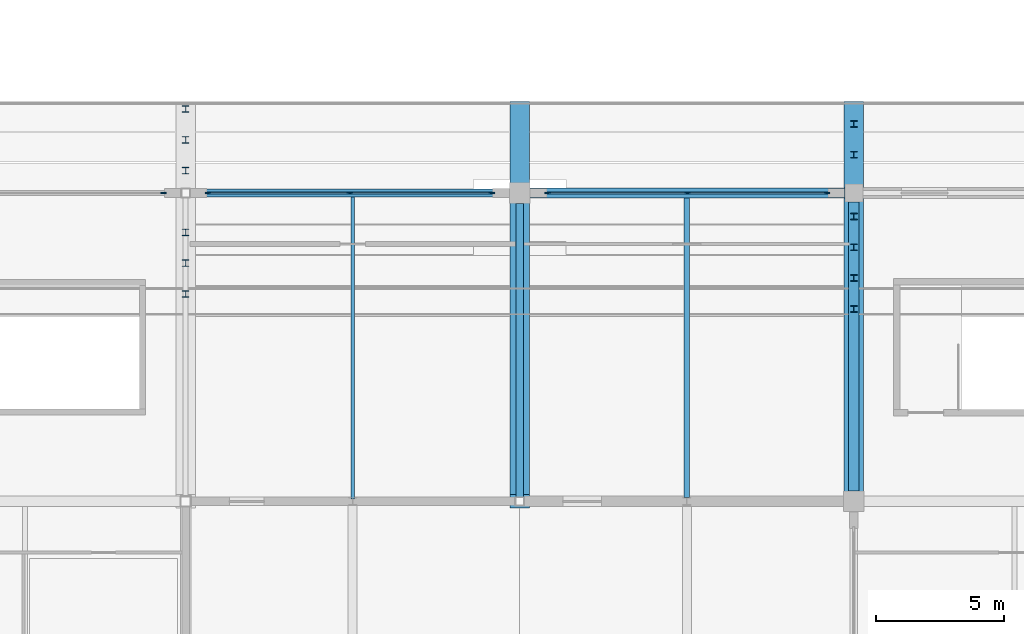
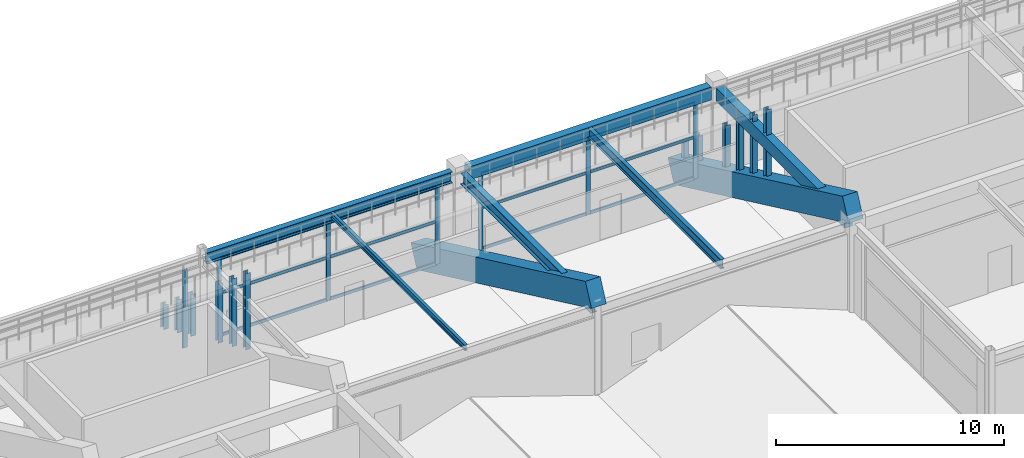
# One storey, part 36 of 128: 31 members, 8 beams, 3 elements without a shape of their own.
"""IFC4 building model written with IfcOpenShell, lengths in metres."""

from ifc_helpers import new_model, si_unit, direction, frame, origin, origin_2d, place, context, subcontext, project, spatial, rectangle, i_section, extrude, material, layer, layer_set, material_profile, profile_set, type_object, element, aggregate, save


model = new_model("IFC4")

# Units and contexts
model_context = context("Model", 3, precision=1e-05, world=origin(), true_north=direction((0.0, 1.0)))
body_context = subcontext(model_context, "Body", "Model", "MODEL_VIEW")
ifc_project = project(units=[si_unit("LENGTHUNIT", "METRE"), si_unit("AREAUNIT", "SQUARE_METRE"), si_unit("VOLUMEUNIT", "CUBIC_METRE"), si_unit("PLANEANGLEUNIT", "RADIAN"), si_unit("MASSUNIT", "GRAM", prefix="KILO")], contexts=[model_context])

# Site, building, storey
site_placement = place(None, origin())
site = spatial("IfcSite", under=ifc_project, at=site_placement, CompositionType="ELEMENT")
building_placement = place(site_placement, origin())
building = spatial("IfcBuilding", under=site, at=building_placement, Name="Kazenohara Klinker Stadium", CompositionType="ELEMENT")
storey_placement = place(building_placement, frame((0.0, 0.0, 15.300048828125)))
storey = spatial("IfcBuildingStorey", under=building, at=storey_placement, Name="L03", CompositionType="ELEMENT", Elevation=15.300048828125)

# Beams
ifc_material_1 = material(Name="Steel S355", Category="steel")
ifc_material_profile_1 = material_profile(ifc_material_1, i_section(OverallWidth=0.199951171875, OverallDepth=0.5, WebThickness=0.010009765625, FlangeThickness=0.01611328125, FilletRadius=0.012939453125, at=origin_2d()), Name="H-500x200x10x16")
ifc_profile_set_1 = profile_set([ifc_material_profile_1], Name="Steel S355")
beam_type_1 = type_object("IfcBeamType", Name="BM-JST01", PredefinedType="JOIST", material=ifc_profile_set_1)
beam_1_placement = place(storey_placement, frame((118.5, 24.14990234375, 4.510009765625), z_axis=(0.0, 1.0, 0.0), x_axis=(-1.0, 0.0, 0.0)))
element("IfcBeam", 1, at=beam_1_placement, inside=storey, type_object=beam_type_1, Name="Secondary floor joist SJ01 L03 10/C", PredefinedType="JOIST", context=body_context, shape_type="SweptSolid", body=[
    extrude(i_section(OverallWidth=0.199951171875, OverallDepth=0.5, WebThickness=0.010009765625, FlangeThickness=0.01611328125, FilletRadius=0.012939453125, at=origin_2d()), origin(), (0.0, 0.0, 1.0), 11.650146484375),
])
ifc_material_profile_2 = material_profile(ifc_material_1, i_section(OverallWidth=0.14990234375, OverallDepth=0.300048828125, WebThickness=0.006591796875, FlangeThickness=0.009033203125, FilletRadius=0.012939453125, at=origin_2d()), Name="H-300x150x6.5x9")
ifc_profile_set_2 = profile_set([ifc_material_profile_2], Name="Steel S355")
beam_type_2 = type_object("IfcBeamType", Name="BM-JST05", PredefinedType="JOIST", material=ifc_profile_set_2)
beam_2_placement = place(storey_placement, frame((105.5, 24.10009765625, 4.60986328125), z_axis=(0.0, 1.0, 0.0), x_axis=(-1.0, 0.0, 0.0)))
element("IfcBeam", 2, at=beam_2_placement, inside=storey, type_object=beam_type_2, Name="Secondary floor joist SJ05 L03 9/C", PredefinedType="JOIST", context=body_context, shape_type="SweptSolid", body=[
    extrude(i_section(OverallWidth=0.14990234375, OverallDepth=0.300048828125, WebThickness=0.006591796875, FlangeThickness=0.009033203125, FilletRadius=0.012939453125, at=origin_2d()), origin(), (0.0, 0.0, 1.0), 11.75),
])
ifc_material_2 = material(Name="Concrete C40/50", Category="concrete")
ifc_material_profile_3 = material_profile(ifc_material_2, rectangle(XDim=0.39990234375, YDim=0.699951171875, at=origin_2d()), Name="RC-BM-400x700")
ifc_profile_set_3 = profile_set([ifc_material_profile_3], Name="Concrete C40/50")
beam_type_3 = type_object("IfcBeamType", Name="BM-RC04", PredefinedType="BEAM", material=ifc_profile_set_3)
beam_3_placement = place(storey_placement, frame((112.39990234375, 36.0, 4.409912109375), z_axis=(1.0, 0.0, 0.0), x_axis=(0.0, 1.0, 0.0)))
element("IfcBeam", 3, at=beam_3_placement, inside=storey, type_object=beam_type_3, Name="Primary girder BG04 L03 10-11/D", PredefinedType="BEAM", context=body_context, shape_type="SweptSolid", body=[
    extrude(rectangle(XDim=0.39990234375, YDim=0.699951171875, at=origin_2d()), origin(), (0.0, 0.0, 1.0), 12.25),
])
beam_4_placement = place(storey_placement, frame((125.0, 24.39990234375, 4.409912109375), z_axis=(0.0, 1.0, 0.0), x_axis=(-1.0, 0.0, 0.0)))
element("IfcBeam", 4, at=beam_4_placement, inside=storey, type_object=beam_type_3, Name="Primary girder BG04 L03 11/C-D", PredefinedType="BEAM", context=body_context, shape_type="SweptSolid", body=[
    extrude(rectangle(XDim=0.39990234375, YDim=0.699951171875, at=origin_2d()), origin(), (0.0, 0.0, 1.0), 11.25),
])
ifc_material_profile_4 = material_profile(ifc_material_1, i_section(OverallWidth=0.300048828125, OverallDepth=0.587890625, WebThickness=0.011962890625, FlangeThickness=0.02001953125, FilletRadius=0.02197265625, at=origin_2d()), Name="H-588x300x12x20")
ifc_profile_set_4 = profile_set([ifc_material_profile_4], Name="Steel S355")
beam_type_4 = type_object("IfcBeamType", Name="BM-ST05", PredefinedType="BEAM", material=ifc_profile_set_4)
beam_5_placement = place(storey_placement, frame((99.175048828125, 36.0, 4.466064453125), z_axis=(1.0, 0.0, 0.0), x_axis=(0.0, 1.0, 0.0)))
element("IfcBeam", 5, at=beam_5_placement, inside=storey, type_object=beam_type_4, Name="Primary girder SB05 L03 9-10/D", PredefinedType="BEAM", context=body_context, shape_type="SweptSolid", body=[
    extrude(i_section(OverallWidth=0.300048828125, OverallDepth=0.587890625, WebThickness=0.011962890625, FlangeThickness=0.02001953125, FilletRadius=0.02197265625, at=origin_2d()), origin(), (0.0, 0.0, 1.0), 12.425048828125),
])
beam_6_placement = place(storey_placement, frame((112.0, 24.175048828125, 4.466064453125), z_axis=(0.0, 1.0, 0.0), x_axis=(-1.0, 0.0, 0.0)))
element("IfcBeam", 6, at=beam_6_placement, inside=storey, type_object=beam_type_4, Name="Primary girder SB05 L03 10/C-D", PredefinedType="BEAM", context=body_context, shape_type="SweptSolid", body=[
    extrude(i_section(OverallWidth=0.300048828125, OverallDepth=0.587890625, WebThickness=0.011962890625, FlangeThickness=0.02001953125, FilletRadius=0.02197265625, at=origin_2d()), origin(), (0.0, 0.0, 1.0), 11.425048828125),
])

# Curtain wall, member
ifc_material_3 = material(Name="Anodised aluminium and triple glazing", Category="aluminium")
ifc_layer_1 = layer(ifc_material_3, 0.159912109375)
ifc_layer_set_1 = layer_set([ifc_layer_1], Name="Anodised aluminium and triple glazing")
curtain_wall_type_1 = type_object("IfcCurtainWallType", Name="CW-SYS-01", PredefinedType="USERDEFINED", material=ifc_layer_set_1)
curtain_wall_1_placement = place(storey_placement, origin())
curtain_wall_1 = element("IfcCurtainWall", 7, at=curtain_wall_1_placement, inside=storey, type_object=curtain_wall_type_1, Name="Unitised facade curtain wall CW01 L03 X7-3", ObjectType="UNITISED CURTAIN WALL", PredefinedType="USERDEFINED")
ifc_material_4 = material(Name="Anodised aluminium 6063-T6", Category="aluminium")
ifc_material_profile_5 = material_profile(ifc_material_4, rectangle(XDim=0.074951171875, YDim=0.219970703125, at=origin_2d()), Name="ALU-MUL-75x220")
ifc_profile_set_5 = profile_set([ifc_material_profile_5], Name="Anodised aluminium 6063-T6")
member_type_1 = type_object("IfcMemberType", Name="CW-MUL-220", PredefinedType="MULLION", material=ifc_profile_set_5)
member_1_placement = place(storey_placement, frame((98.133544921875, 36.0, 0.0), z_axis=(0.0, 0.0, 1.0), x_axis=(0.0, 1.0, 0.0)))
member_1 = element("IfcMember", 8, at=member_1_placement, type_object=member_type_1, Name="CW01 mullion 3", PredefinedType="MULLION", context=body_context, shape_type="SweptSolid", body=[
    extrude(rectangle(XDim=0.074951171875, YDim=0.219970703125, at=origin_2d()), origin(), (0.0, 0.0, 1.0), 4.159912109375),
])
aggregate(curtain_wall_1, [member_1])

# Curtain wall, members
ifc_layer_2 = layer(ifc_material_3, 0.199951171875)
ifc_layer_set_2 = layer_set([ifc_layer_2], Name="Anodised aluminium and triple glazing")
curtain_wall_type_2 = type_object("IfcCurtainWallType", Name="CW-SYS-03", PredefinedType="USERDEFINED", material=ifc_layer_set_2)
curtain_wall_2_placement = place(storey_placement, origin())
curtain_wall_2 = element("IfcCurtainWall", 9, at=curtain_wall_2_placement, inside=storey, type_object=curtain_wall_type_2, Name="Unitised facade curtain wall CW03 L03 X8-3", ObjectType="UNITISED CURTAIN WALL", PredefinedType="USERDEFINED")
member_2_placement = place(storey_placement, frame((99.866455078125, 36.0, 0.0), z_axis=(0.0, 0.0, 1.0), x_axis=(0.0, 1.0, 0.0)))
member_2 = element("IfcMember", 10, at=member_2_placement, type_object=member_type_1, Name="CW03 mullion 1", PredefinedType="MULLION", context=body_context, shape_type="SweptSolid", body=[
    extrude(rectangle(XDim=0.074951171875, YDim=0.219970703125, at=origin_2d()), origin(), (0.0, 0.0, 1.0), 4.171875),
])
member_3_placement = place(storey_placement, frame((105.387451171875, 36.0, 0.0), z_axis=(0.0, 0.0, 1.0), x_axis=(0.0, 1.0, 0.0)))
member_3 = element("IfcMember", 11, at=member_3_placement, type_object=member_type_1, Name="CW03 mullion 2", PredefinedType="MULLION", context=body_context, shape_type="SweptSolid", body=[
    extrude(rectangle(XDim=0.074951171875, YDim=0.219970703125, at=origin_2d()), origin(), (0.0, 0.0, 1.0), 4.171875),
])
member_4_placement = place(storey_placement, frame((110.908447265625, 36.0, 0.0), z_axis=(0.0, 0.0, 1.0), x_axis=(0.0, 1.0, 0.0)))
member_4 = element("IfcMember", 12, at=member_4_placement, type_object=member_type_1, Name="CW03 mullion 3", PredefinedType="MULLION", context=body_context, shape_type="SweptSolid", body=[
    extrude(rectangle(XDim=0.074951171875, YDim=0.219970703125, at=origin_2d()), origin(), (0.0, 0.0, 1.0), 4.171875),
])

ifc_layer_3 = layer(ifc_material_3, 0.18994140625)
ifc_layer_set_3 = layer_set([ifc_layer_3], Name="Anodised aluminium and triple glazing")
curtain_wall_type_3 = type_object("IfcCurtainWallType", Name="CW-SYS-05", PredefinedType="USERDEFINED", material=ifc_layer_set_3)
curtain_wall_3_placement = place(storey_placement, origin())
curtain_wall_3 = element("IfcCurtainWall", 13, at=curtain_wall_3_placement, inside=storey, type_object=curtain_wall_type_3, Name="Unitised facade curtain wall CW05 L03 X9-3", ObjectType="UNITISED CURTAIN WALL", PredefinedType="USERDEFINED")
member_5_placement = place(storey_placement, frame((113.091552734375, 36.0, 0.0), z_axis=(0.0, 0.0, 1.0), x_axis=(0.0, 1.0, 0.0)))
member_5 = element("IfcMember", 14, at=member_5_placement, type_object=member_type_1, Name="CW05 mullion 1", PredefinedType="MULLION", context=body_context, shape_type="SweptSolid", body=[
    extrude(rectangle(XDim=0.074951171875, YDim=0.219970703125, at=origin_2d()), origin(), (0.0, 0.0, 1.0), 4.06005859375),
])
member_6_placement = place(storey_placement, frame((118.52490234375, 36.0, 0.0), z_axis=(0.0, 0.0, 1.0), x_axis=(0.0, 1.0, 0.0)))
member_6 = element("IfcMember", 15, at=member_6_placement, type_object=member_type_1, Name="CW05 mullion 2", PredefinedType="MULLION", context=body_context, shape_type="SweptSolid", body=[
    extrude(rectangle(XDim=0.074951171875, YDim=0.219970703125, at=origin_2d()), origin(), (0.0, 0.0, 1.0), 4.06005859375),
])
member_7_placement = place(storey_placement, frame((123.95849609375, 36.0, 0.0), z_axis=(0.0, 0.0, 1.0), x_axis=(0.0, 1.0, 0.0)))
member_7 = element("IfcMember", 16, at=member_7_placement, type_object=member_type_1, Name="CW05 mullion 3", PredefinedType="MULLION", context=body_context, shape_type="SweptSolid", body=[
    extrude(rectangle(XDim=0.074951171875, YDim=0.219970703125, at=origin_2d()), origin(), (0.0, 0.0, 1.0), 4.06005859375),
])

# Member
ifc_material_profile_6 = material_profile(ifc_material_4, rectangle(XDim=0.074951171875, YDim=0.159912109375, at=origin_2d()), Name="ALU-TRN-75x160")
ifc_profile_set_6 = profile_set([ifc_material_profile_6], Name="Anodised aluminium 6063-T6")
member_type_2 = type_object("IfcMemberType", Name="CW-TRN-160", PredefinedType="USERDEFINED", material=ifc_profile_set_6)
member_8_placement = place(storey_placement, frame((99.904052734375, 36.0, 0.037353515625), z_axis=(1.0, 0.0, 0.0), x_axis=(0.0, 1.0, 0.0)))
member_8 = element("IfcMember", 17, at=member_8_placement, type_object=member_type_2, Name="CW03 transom 1.1", ObjectType="TRANSOM", PredefinedType="USERDEFINED", context=body_context, shape_type="SweptSolid", body=[
    extrude(rectangle(XDim=0.074951171875, YDim=0.159912109375, at=origin_2d()), origin(), (0.0, 0.0, 1.0), 5.446044921875),
])

member_9_placement = place(storey_placement, frame((99.904052734375, 36.0, 2.29443359375), z_axis=(1.0, 0.0, 0.0), x_axis=(0.0, 1.0, 0.0)))
member_9 = element("IfcMember", 18, at=member_9_placement, type_object=member_type_2, Name="CW03 transom 1.2", ObjectType="TRANSOM", PredefinedType="USERDEFINED", context=body_context, shape_type="SweptSolid", body=[
    extrude(rectangle(XDim=0.074951171875, YDim=0.159912109375, at=origin_2d()), origin(), (0.0, 0.0, 1.0), 5.446044921875),
])

member_10_placement = place(storey_placement, frame((99.904052734375, 36.0, 4.134521484375), z_axis=(1.0, 0.0, 0.0), x_axis=(0.0, 1.0, 0.0)))
member_10 = element("IfcMember", 19, at=member_10_placement, type_object=member_type_2, Name="CW03 transom 1.3", ObjectType="TRANSOM", PredefinedType="USERDEFINED", context=body_context, shape_type="SweptSolid", body=[
    extrude(rectangle(XDim=0.074951171875, YDim=0.159912109375, at=origin_2d()), origin(), (0.0, 0.0, 1.0), 5.446044921875),
])

member_11_placement = place(storey_placement, frame((105.425048828125, 36.0, 0.037353515625), z_axis=(1.0, 0.0, 0.0), x_axis=(0.0, 1.0, 0.0)))
member_11 = element("IfcMember", 20, at=member_11_placement, type_object=member_type_2, Name="CW03 transom 2.1", ObjectType="TRANSOM", PredefinedType="USERDEFINED", context=body_context, shape_type="SweptSolid", body=[
    extrude(rectangle(XDim=0.074951171875, YDim=0.159912109375, at=origin_2d()), origin(), (0.0, 0.0, 1.0), 5.446044921875),
])

member_12_placement = place(storey_placement, frame((105.425048828125, 36.0, 2.29443359375), z_axis=(1.0, 0.0, 0.0), x_axis=(0.0, 1.0, 0.0)))
member_12 = element("IfcMember", 21, at=member_12_placement, type_object=member_type_2, Name="CW03 transom 2.2", ObjectType="TRANSOM", PredefinedType="USERDEFINED", context=body_context, shape_type="SweptSolid", body=[
    extrude(rectangle(XDim=0.074951171875, YDim=0.159912109375, at=origin_2d()), origin(), (0.0, 0.0, 1.0), 5.446044921875),
])

member_13_placement = place(storey_placement, frame((105.425048828125, 36.0, 4.134521484375), z_axis=(1.0, 0.0, 0.0), x_axis=(0.0, 1.0, 0.0)))
member_13 = element("IfcMember", 22, at=member_13_placement, type_object=member_type_2, Name="CW03 transom 2.3", ObjectType="TRANSOM", PredefinedType="USERDEFINED", context=body_context, shape_type="SweptSolid", body=[
    extrude(rectangle(XDim=0.074951171875, YDim=0.159912109375, at=origin_2d()), origin(), (0.0, 0.0, 1.0), 5.446044921875),
])

aggregate(curtain_wall_2, [member_2, member_3, member_4, member_8, member_9, member_10, member_11, member_12, member_13])

member_14_placement = place(storey_placement, frame((113.12890625, 36.0, 0.037353515625), z_axis=(1.0, 0.0, 0.0), x_axis=(0.0, 1.0, 0.0)))
member_14 = element("IfcMember", 23, at=member_14_placement, type_object=member_type_2, Name="CW05 transom 1.1", ObjectType="TRANSOM", PredefinedType="USERDEFINED", context=body_context, shape_type="SweptSolid", body=[
    extrude(rectangle(XDim=0.074951171875, YDim=0.159912109375, at=origin_2d()), origin(), (0.0, 0.0, 1.0), 5.358642578125),
])

member_15_placement = place(storey_placement, frame((113.12890625, 36.0, 2.23291015625), z_axis=(1.0, 0.0, 0.0), x_axis=(0.0, 1.0, 0.0)))
member_15 = element("IfcMember", 24, at=member_15_placement, type_object=member_type_2, Name="CW05 transom 1.2", ObjectType="TRANSOM", PredefinedType="USERDEFINED", context=body_context, shape_type="SweptSolid", body=[
    extrude(rectangle(XDim=0.074951171875, YDim=0.159912109375, at=origin_2d()), origin(), (0.0, 0.0, 1.0), 5.358642578125),
])

member_16_placement = place(storey_placement, frame((113.12890625, 36.0, 4.0224609375), z_axis=(1.0, 0.0, 0.0), x_axis=(0.0, 1.0, 0.0)))
member_16 = element("IfcMember", 25, at=member_16_placement, type_object=member_type_2, Name="CW05 transom 1.3", ObjectType="TRANSOM", PredefinedType="USERDEFINED", context=body_context, shape_type="SweptSolid", body=[
    extrude(rectangle(XDim=0.074951171875, YDim=0.159912109375, at=origin_2d()), origin(), (0.0, 0.0, 1.0), 5.358642578125),
])

member_17_placement = place(storey_placement, frame((118.5625, 36.0, 0.037353515625), z_axis=(1.0, 0.0, 0.0), x_axis=(0.0, 1.0, 0.0)))
member_17 = element("IfcMember", 26, at=member_17_placement, type_object=member_type_2, Name="CW05 transom 2.1", ObjectType="TRANSOM", PredefinedType="USERDEFINED", context=body_context, shape_type="SweptSolid", body=[
    extrude(rectangle(XDim=0.074951171875, YDim=0.159912109375, at=origin_2d()), origin(), (0.0, 0.0, 1.0), 5.3583984375),
])

member_18_placement = place(storey_placement, frame((118.5625, 36.0, 2.23291015625), z_axis=(1.0, 0.0, 0.0), x_axis=(0.0, 1.0, 0.0)))
member_18 = element("IfcMember", 27, at=member_18_placement, type_object=member_type_2, Name="CW05 transom 2.2", ObjectType="TRANSOM", PredefinedType="USERDEFINED", context=body_context, shape_type="SweptSolid", body=[
    extrude(rectangle(XDim=0.074951171875, YDim=0.159912109375, at=origin_2d()), origin(), (0.0, 0.0, 1.0), 5.3583984375),
])

member_19_placement = place(storey_placement, frame((118.5625, 36.0, 4.0224609375), z_axis=(1.0, 0.0, 0.0), x_axis=(0.0, 1.0, 0.0)))
member_19 = element("IfcMember", 28, at=member_19_placement, type_object=member_type_2, Name="CW05 transom 2.3", ObjectType="TRANSOM", PredefinedType="USERDEFINED", context=body_context, shape_type="SweptSolid", body=[
    extrude(rectangle(XDim=0.074951171875, YDim=0.159912109375, at=origin_2d()), origin(), (0.0, 0.0, 1.0), 5.3583984375),
])

aggregate(curtain_wall_3, [member_5, member_6, member_7, member_14, member_15, member_16, member_17, member_18, member_19])

# Members
ifc_material_profile_7 = material_profile(ifc_material_1, i_section(OverallWidth=0.25, OverallDepth=0.25, WebThickness=0.009033203125, FlangeThickness=0.013916015625, FilletRadius=0.012939453125, at=origin_2d()), Name="H-250x250x9x14")
ifc_profile_set_7 = profile_set([ifc_material_profile_7], Name="Steel S355")
member_type_3 = type_object("IfcMemberType", Name="MEM-STR02", PredefinedType="STRUT", material=ifc_profile_set_7)
for number, where, z_axis, x_axis, name in (
    (29, (99.0, 32.070068359375, 2.04541015625), (0.0, 0.0, 1.0), (1.0, 0.0, 0.0), "Precast tier riser stool UPPER-S-01-08"),
    (30, (125.0, 31.489990234375, 2.04541015625), (0.0, 0.0, 1.0), (1.0, 0.0, 0.0), "Precast tier riser stool UPPER-S-01-10"),
):
    element("IfcMember", number, at=place(storey_placement, frame(where, z_axis=z_axis, x_axis=x_axis)), inside=storey, type_object=member_type_3, Name=name, PredefinedType="STRUT", context=body_context, shape_type="SweptSolid", body=[
        extrude(i_section(OverallWidth=0.25, OverallDepth=0.25, WebThickness=0.009033203125, FlangeThickness=0.013916015625, FilletRadius=0.012939453125, at=origin_2d()), origin(), (0.0, 0.0, 1.0), 4.074462890625),
    ])
for number, where, z_axis, x_axis, name in (
    (31, (99.0, 33.27001953125, 1.49853515625), (0.0, 0.0, 1.0), (1.0, 0.0, 0.0), "Precast tier riser stool UPPER-S-02-08"),
    (32, (125.0, 32.68994140625, 1.49853515625), (0.0, 0.0, 1.0), (1.0, 0.0, 0.0), "Precast tier riser stool UPPER-S-02-10"),
):
    element("IfcMember", number, at=place(storey_placement, frame(where, z_axis=z_axis, x_axis=x_axis)), inside=storey, type_object=member_type_3, Name=name, PredefinedType="STRUT", context=body_context, shape_type="SweptSolid", body=[
        extrude(i_section(OverallWidth=0.25, OverallDepth=0.25, WebThickness=0.009033203125, FlangeThickness=0.013916015625, FilletRadius=0.012939453125, at=origin_2d()), origin(), (0.0, 0.0, 1.0), 3.613037109375),
    ])
for number, where, z_axis, x_axis, name in (
    (33, (99.0, 34.469970703125, 0.95166015625), (0.0, 0.0, 1.0), (1.0, 0.0, 0.0), "Precast tier riser stool UPPER-S-03-08"),
    (34, (125.0, 33.889892578125, 0.95166015625), (0.0, 0.0, 1.0), (1.0, 0.0, 0.0), "Precast tier riser stool UPPER-S-03-10"),
):
    element("IfcMember", number, at=place(storey_placement, frame(where, z_axis=z_axis, x_axis=x_axis)), inside=storey, type_object=member_type_3, Name=name, PredefinedType="STRUT", context=body_context, shape_type="SweptSolid", body=[
        extrude(i_section(OverallWidth=0.25, OverallDepth=0.25, WebThickness=0.009033203125, FlangeThickness=0.013916015625, FilletRadius=0.012939453125, at=origin_2d()), origin(), (0.0, 0.0, 1.0), 3.151611328125),
    ])
member_20_placement = place(storey_placement, frame((125.0, 35.090087890625, 0.40478515625), z_axis=(0.0, 0.0, 1.0), x_axis=(1.0, 0.0, 0.0)))
element("IfcMember", 35, at=member_20_placement, inside=storey, type_object=member_type_3, Name="Precast tier riser stool UPPER-S-04-10", PredefinedType="STRUT", context=body_context, shape_type="SweptSolid", body=[
    extrude(i_section(OverallWidth=0.25, OverallDepth=0.25, WebThickness=0.009033203125, FlangeThickness=0.013916015625, FilletRadius=0.012939453125, at=origin_2d()), origin(), (0.0, 0.0, 1.0), 2.690185546875),
])
member_21_placement = place(storey_placement, frame((99.0, 36.8701171875, -0.141845703125), z_axis=(0.0, 0.0, 1.0), x_axis=(1.0, 0.0, 0.0)))
element("IfcMember", 36, at=member_21_placement, inside=storey, type_object=member_type_3, Name="Precast tier riser stool UPPER-S-05-08", PredefinedType="STRUT", context=body_context, shape_type="SweptSolid", body=[
    extrude(i_section(OverallWidth=0.25, OverallDepth=0.25, WebThickness=0.009033203125, FlangeThickness=0.013916015625, FilletRadius=0.012939453125, at=origin_2d()), origin(), (0.0, 0.0, 1.0), 2.228515625),
])
for number, where, z_axis, x_axis, name in (
    (37, (99.0, 38.070068359375, -0.68896484375), (0.0, 0.0, 1.0), (1.0, 0.0, 0.0), "Precast tier riser stool UPPER-S-06-08"),
    (38, (125.0, 37.489990234375, -0.68896484375), (0.0, 0.0, 1.0), (1.0, 0.0, 0.0), "Precast tier riser stool UPPER-S-06-10"),
):
    element("IfcMember", number, at=place(storey_placement, frame(where, z_axis=z_axis, x_axis=x_axis)), inside=storey, type_object=member_type_3, Name=name, PredefinedType="STRUT", context=body_context, shape_type="SweptSolid", body=[
        extrude(i_section(OverallWidth=0.25, OverallDepth=0.25, WebThickness=0.009033203125, FlangeThickness=0.013916015625, FilletRadius=0.012939453125, at=origin_2d()), origin(), (0.0, 0.0, 1.0), 1.767333984375),
    ])
for number, where, z_axis, x_axis, name in (
    (39, (99.0, 39.27001953125, -1.235595703125), (0.0, 0.0, 1.0), (1.0, 0.0, 0.0), "Precast tier riser stool UPPER-S-07-08"),
    (40, (125.0, 38.68994140625, -1.235595703125), (0.0, 0.0, 1.0), (1.0, 0.0, 0.0), "Precast tier riser stool UPPER-S-07-10"),
):
    element("IfcMember", number, at=place(storey_placement, frame(where, z_axis=z_axis, x_axis=x_axis)), inside=storey, type_object=member_type_3, Name=name, PredefinedType="STRUT", context=body_context, shape_type="SweptSolid", body=[
        extrude(i_section(OverallWidth=0.25, OverallDepth=0.25, WebThickness=0.009033203125, FlangeThickness=0.013916015625, FilletRadius=0.012939453125, at=origin_2d()), origin(), (0.0, 0.0, 1.0), 1.3056640625),
    ])

# Beams
ifc_material_5 = material(Name="Precast concrete C50/60", Category="concrete")
ifc_material_profile_8 = material_profile(ifc_material_5, rectangle(XDim=0.75, YDim=1.25, at=origin_2d()), Name="PC-RAKER-750x1250")
ifc_profile_set_8 = profile_set([ifc_material_profile_8], Name="Precast concrete C50/60")
beam_type_5 = type_object("IfcBeamType", Name="RAKER-RK02", PredefinedType="USERDEFINED", material=ifc_profile_set_8)
for number, where, z_axis, x_axis, name in (
    (41, (112.0, 24.0, 5.351318359375), (0.0, 0.904820338238, -0.425793559734), (-1.0, 0.0, 0.0), "Precast bowl raker girder RK02 UPPER South 10"),
    (42, (125.0, 24.0, 5.351318359375), (0.0, 0.904820338238, -0.425793559734), (-1.0, 0.0, 0.0), "Precast bowl raker girder RK02 UPPER South 11"),
):
    element("IfcBeam", number, at=place(storey_placement, frame(where, z_axis=z_axis, x_axis=x_axis)), inside=storey, type_object=beam_type_5, Name=name, ObjectType="RAKER", PredefinedType="USERDEFINED", context=body_context, shape_type="SweptSolid", body=[
        extrude(rectangle(XDim=0.75, YDim=1.25, at=origin_2d()), origin(), (0.0, 0.0, 1.0), 16.909423828125),
    ])

save(model, "model.ifc")
